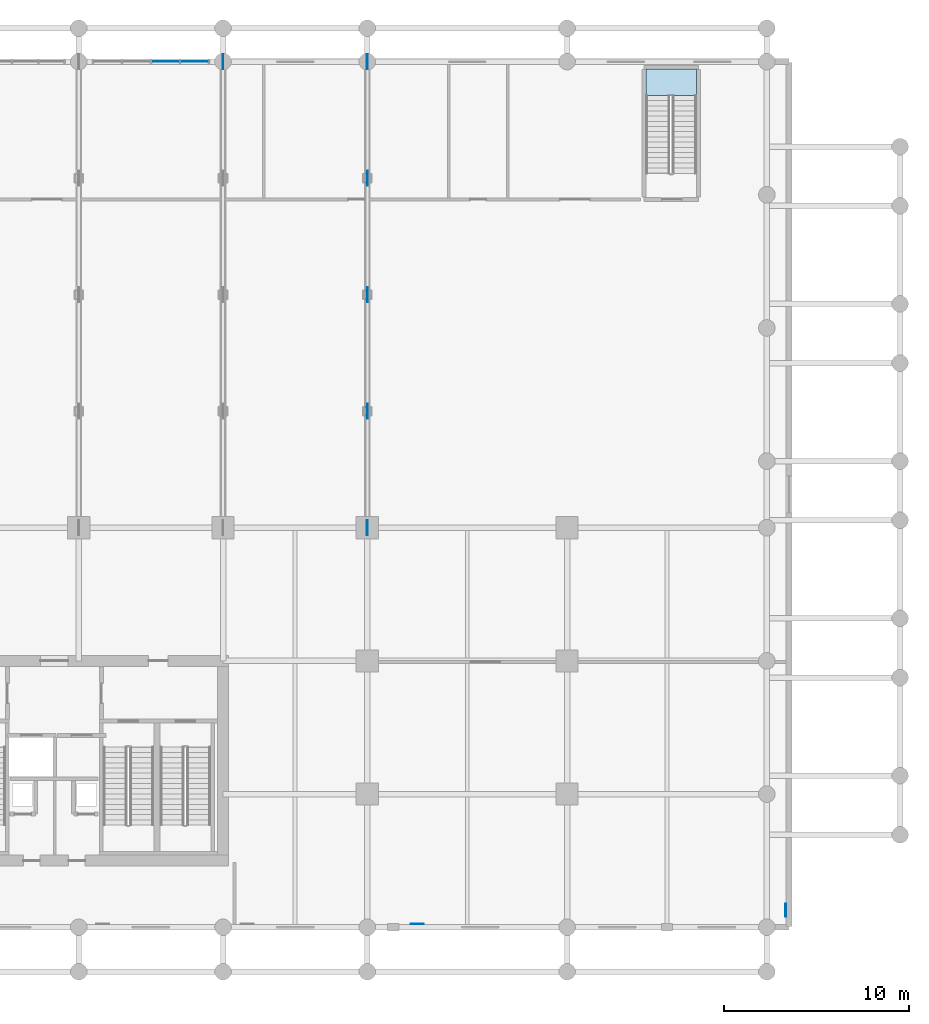
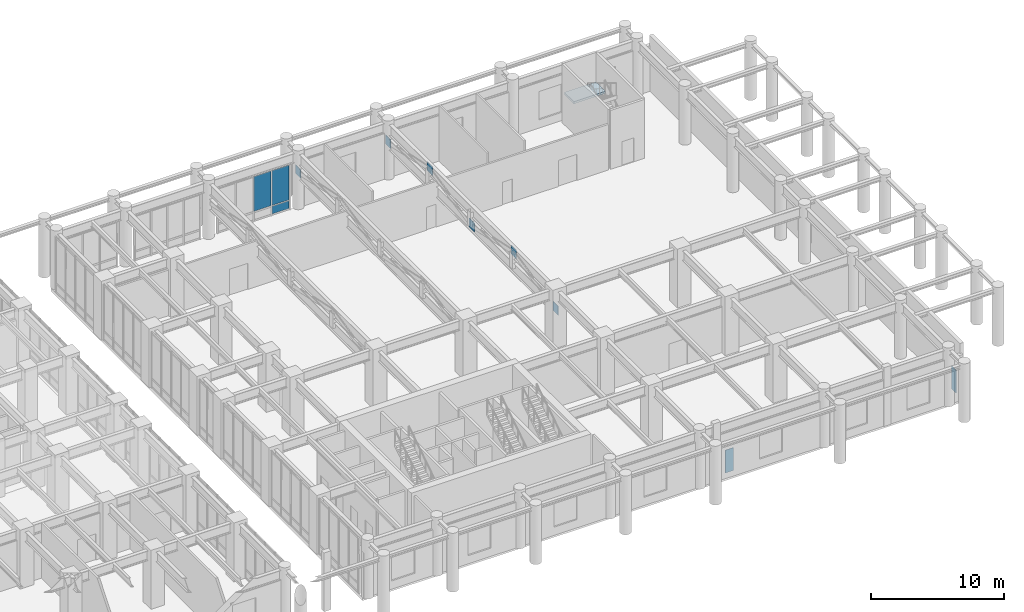
# One storey, part 15 of 24: 11 plates, 1 slab, 2 elements without a shape of their own.
"""IFC4 building model written with IfcOpenShell, lengths in metres."""

from ifc_helpers import new_model, si_unit, derived_unit, direction, frame, origin, origin_2d, place, context, subcontext, project, spatial, polyline, rectangle, outline, extrude, source, transform, mapped, material, layer, layer_set, type_object, type_shapes, element, aggregate, save


model = new_model("IFC4")

# Units and contexts
model_context = context("Model", 3, precision=1e-05, world=origin(), true_north=direction((0.0, 1.0)))
body_context = subcontext(model_context, "Body", "Model", "MODEL_VIEW")
ifc_project = project(units=[si_unit("LENGTHUNIT", "METRE"), si_unit("AREAUNIT", "SQUARE_METRE"), si_unit("VOLUMEUNIT", "CUBIC_METRE"), si_unit("PLANEANGLEUNIT", "RADIAN"), si_unit("MASSUNIT", "GRAM", prefix="KILO"), si_unit("THERMODYNAMICTEMPERATUREUNIT", "KELVIN"), si_unit("POWERUNIT", "WATT"), derived_unit("THERMALTRANSMITTANCEUNIT", [(si_unit("POWERUNIT", "WATT"), 1), (si_unit("AREAUNIT", "SQUARE_METRE"), -1), (si_unit("THERMODYNAMICTEMPERATUREUNIT", "KELVIN"), -1)])], contexts=[model_context])

# Site, building, storey
site_placement = place(None, origin())
site = spatial("IfcSite", under=ifc_project, at=site_placement, CompositionType="ELEMENT")
building_placement = place(site_placement, origin())
building = spatial("IfcBuilding", under=site, at=building_placement, Name="Zahravan Archway Hotel and Residences", CompositionType="ELEMENT")
storey_placement = place(building_placement, frame((0.0, 0.0, 10.800048828125)))
storey = spatial("IfcBuildingStorey", under=building, at=storey_placement, Name="L02", CompositionType="ELEMENT", Elevation=10.800048828125)

# Stair, slab
ifc_material_1 = material(Name="Concrete C50/60", Category="concrete")
stair_type = type_object("IfcStairType", Name="STR-CORE-1300", PredefinedType="HALF_TURN_STAIR", material=ifc_material_1)
stair_placement = place(storey_placement, origin())
stair = element("IfcStair", 1, at=stair_placement, inside=storey, type_object=stair_type, Name="L02 East Station Galleria Exit Stair", PredefinedType="HALF_TURN_STAIR")
ifc_layer_1 = layer(ifc_material_1, 0.199951171875, Name="Concrete C50/60", Category="concrete")
ifc_layer_set_1 = layer_set([ifc_layer_1], Name="Concrete C50/60")
slab_type = type_object("IfcSlabType", Name="SLB-LND-200", PredefinedType="LANDING", material=ifc_layer_set_1)
slab_placement = place(storey_placement, frame((0.0, 0.0, 2.5)))
slab = element("IfcSlab", 2, at=slab_placement, type_object=slab_type, Name="ST-P1 landing 1", PredefinedType="LANDING", context=body_context, shape_type="SweptSolid", body=[
    extrude(outline(polyline([(75.39990234375, 44.969970703125), (75.39990234375, 46.39990234375), (72.659912109375, 46.39990234375), (72.659912109375, 44.969970703125), (75.39990234375, 44.969970703125)])), origin(), (0.0, 0.0, 1.0), 0.199951171875),
])
aggregate(stair, [slab])

# Plates
ifc_material_2 = material(Name="Structural Steel S355J2", Category="steel")
ifc_layer_2 = layer(ifc_material_2, 0.035888671875, Name="Structural Steel S355J2", Category="steel")
ifc_layer_set_2 = layer_set([ifc_layer_2], Name="Structural Steel S355J2")
plate_type_1 = type_object("IfcPlateType", Name="PLT-GUS-ON2", PredefinedType="USERDEFINED", material=ifc_layer_set_2)
shared_shape_1 = source(origin(), body_context, "Body", "SweptSolid", [
    extrude(rectangle(XDim=0.800048828125, YDim=0.035888671875, at=origin_2d()), origin(), (0.0, 0.0, 1.0), 0.800048828125),
])
type_shapes(plate_type_1, [shared_shape_1])
for number, where, z_axis, x_axis, name in (
    (3, (49.800048828125, 46.800048828125, 2.7998046875), (0.0, 0.0, 1.0), (0.0, 1.0, 0.0), "L02 Transfer Truss End Gusset ON2-2"),
    (4, (57.60009765625, 21.60009765625, 2.7998046875), (0.0, 0.0, 1.0), (0.0, 1.0, 0.0), "L02 Transfer Truss Node Gusset ON2-3-1"),
    (5, (57.60009765625, 27.89990234375, 4.14990234375), (0.0, 0.0, 1.0), (0.0, 1.0, 0.0), "L02 Transfer Truss Node Gusset ON2-3-2"),
    (6, (57.60009765625, 34.199951171875, 2.7998046875), (0.0, 0.0, 1.0), (0.0, 1.0, 0.0), "L02 Transfer Truss Node Gusset ON2-3-3"),
    (7, (57.60009765625, 40.5, 4.14990234375), (0.0, 0.0, 1.0), (0.0, 1.0, 0.0), "L02 Transfer Truss Node Gusset ON2-3-4"),
    (8, (57.60009765625, 46.800048828125, 2.7998046875), (0.0, 0.0, 1.0), (0.0, 1.0, 0.0), "L02 Transfer Truss End Gusset ON2-3"),
):
    element("IfcPlate", number, at=place(storey_placement, frame(where, z_axis=z_axis, x_axis=x_axis)), inside=storey, type_object=plate_type_1, Name=name, ObjectType="GUSSET", PredefinedType="USERDEFINED", context=body_context, shape_type="MappedRepresentation", body=[
        mapped(shared_shape_1, transform((0.0, 0.0, 0.0), scale=1.0)),
    ])

# Curtain wall, plates
ifc_material_3 = material(Name="Bronze-Anodized Unitised Aluminium & Low-E Glass", Category="aluminium")
ifc_layer_3 = layer(ifc_material_3, 0.179931640625, Name="Bronze-Anodized Unitised Aluminium & Low-E Glass", Category="aluminium")
ifc_layer_set_3 = layer_set([ifc_layer_3], Name="Bronze-Anodized Unitised Aluminium & Low-E Glass")
curtain_wall_type = type_object("IfcCurtainWallType", Name="CW-POD-ARCH", PredefinedType="NOTDEFINED", material=ifc_layer_set_3)
curtain_wall_placement = place(storey_placement, origin())
curtain_wall = element("IfcCurtainWall", 9, at=curtain_wall_placement, inside=storey, type_object=curtain_wall_type, Name="L02 Curtain Wall CW-POD-L02-3", PredefinedType="NOTDEFINED")
ifc_material_4 = material(Name="Insulated Terracotta Spandrel Panel", Category="masonry")
ifc_layer_4 = layer(ifc_material_4, 0.0400390625, Name="Insulated Terracotta Spandrel Panel", Category="masonry")
ifc_layer_set_4 = layer_set([ifc_layer_4], Name="Insulated Terracotta Spandrel Panel")
plate_type_2 = type_object("IfcPlateType", Name="CWP-SPN-40", PredefinedType="SHEET", material=ifc_layer_set_4)
shared_shape_2 = source(origin(), body_context, "Body", "SweptSolid", [
    extrude(rectangle(XDim=1.489990234375, YDim=0.0400390625, at=origin_2d()), origin(), (0.0, 0.0, 1.0), 0.7099609375),
])
plate_1_placement = place(storey_placement, frame((48.2548828125, 46.800048828125, 0.099853515625), z_axis=(0.0, 0.0, 1.0), x_axis=(1.0, 0.0, 0.0)))
plate_1 = element("IfcPlate", 10, at=plate_1_placement, type_object=plate_type_2, Name="CW-POD-L02-3 Spandrel Panel 3", PredefinedType="SHEET", context=body_context, shape_type="MappedRepresentation", body=[
    mapped(shared_shape_2, transform((0.0, 0.0, 0.0), scale=1.0)),
])
ifc_material_5 = material(Name="Double-Silver Low-E Insulated Vision Glass", Category="glass")
ifc_layer_5 = layer(ifc_material_5, 0.028076171875, Name="Double-Silver Low-E Insulated Vision Glass", Category="glass")
ifc_layer_set_5 = layer_set([ifc_layer_5], Name="Double-Silver Low-E Insulated Vision Glass")
plate_type_3 = type_object("IfcPlateType", Name="CWP-GLZ-28", PredefinedType="CURTAIN_PANEL", material=ifc_layer_set_5)
shared_shape_3 = source(origin(), body_context, "Body", "SweptSolid", [
    extrude(rectangle(XDim=1.489990234375, YDim=0.028076171875, at=origin_2d()), origin(), (0.0, 0.0, 1.0), 3.195068359375),
])
plate_2_placement = place(storey_placement, frame((46.68505859375, 46.800048828125, 0.89013671875), z_axis=(0.0, 0.0, 1.0), x_axis=(1.0, 0.0, 0.0)))
plate_2 = element("IfcPlate", 11, at=plate_2_placement, type_object=plate_type_3, Name="CW-POD-L02-3 Low-E Vision Panel 2", PredefinedType="CURTAIN_PANEL", context=body_context, shape_type="MappedRepresentation", body=[
    mapped(shared_shape_3, transform((0.0, 0.0, 0.0), scale=1.0)),
])
plate_3_placement = place(storey_placement, frame((48.2548828125, 46.800048828125, 0.89013671875), z_axis=(0.0, 0.0, 1.0), x_axis=(1.0, 0.0, 0.0)))
plate_3 = element("IfcPlate", 12, at=plate_3_placement, type_object=plate_type_3, Name="CW-POD-L02-3 Low-E Vision Panel 3", PredefinedType="CURTAIN_PANEL", context=body_context, shape_type="MappedRepresentation", body=[
    mapped(shared_shape_3, transform((0.0, 0.0, 0.0), scale=1.0)),
])
aggregate(curtain_wall, [plate_2, plate_1, plate_3])

# Plates
ifc_material_6 = material(Name="Perforated Cast Bronze Jali Lattice")
ifc_layer_6 = layer(ifc_material_6, 0.044921875, Name="Perforated Cast Bronze Jali Lattice")
ifc_layer_set_6 = layer_set([ifc_layer_6], Name="Perforated Cast Bronze Jali Lattice")
plate_type_4 = type_object("IfcPlateType", Name="PLT-JALI-BAY", PredefinedType="USERDEFINED", material=ifc_layer_set_6)
shared_shape_4 = source(origin(), body_context, "Body", "SweptSolid", [
    extrude(rectangle(XDim=0.699951171875, YDim=0.044921875, at=origin_2d()), origin(), (0.0, 0.0, 1.0), 2.10009765625),
])
type_shapes(plate_type_4, [shared_shape_4])
for number, where, z_axis, x_axis, name in (
    (13, (60.300048828125, 0.177978515625, 0.25), (0.0, 0.0, 1.0), (1.0, 0.0, 0.0), "L02 Podium Mughal Jali Pier Screen 07"),
    (14, (80.221923828125, 0.919921875, 0.25), (0.0, 0.0, 1.0), (0.0, 1.0, 0.0), "L02 Podium Mughal Jali Pier Screen 08"),
):
    element("IfcPlate", number, at=place(storey_placement, frame(where, z_axis=z_axis, x_axis=x_axis)), inside=storey, type_object=plate_type_4, Name=name, ObjectType="SCREEN", PredefinedType="USERDEFINED", context=body_context, shape_type="MappedRepresentation", body=[
        mapped(shared_shape_4, transform((0.0, 0.0, 0.0), scale=1.0)),
    ])

save(model, "model.ifc")
